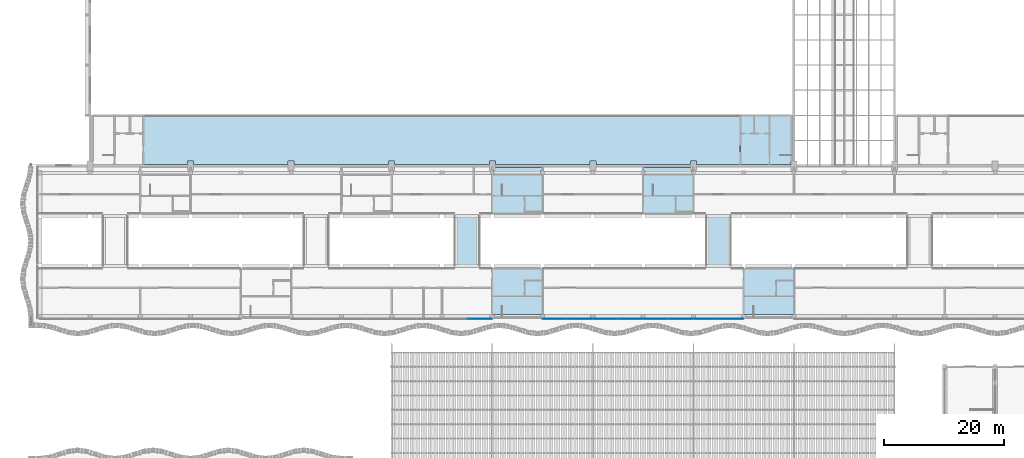
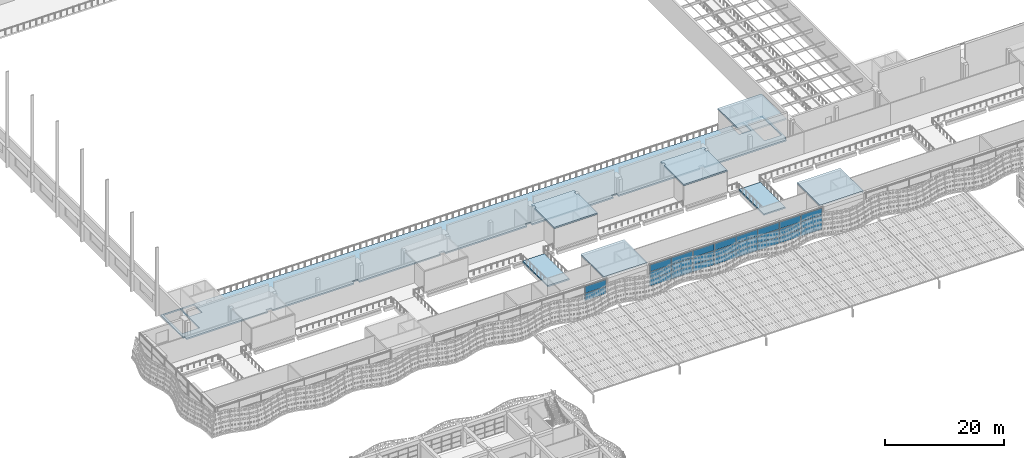
# One storey, part 66 of 162: 26 plates, 8 slabs, 2 elements without a shape of their own.
"""IFC4 building model written with IfcOpenShell, lengths in metres."""

from ifc_helpers import new_model, si_unit, direction, frame, origin, origin_2d, place, context, subcontext, project, spatial, polyline, rectangle, outline, extrude, material, layer, layer_set, type_object, element, aggregate, save


model = new_model("IFC4")

# Units and contexts
model_context = context("Model", 3, precision=1e-05, world=origin(), true_north=direction((0.0, 1.0)))
body_context = subcontext(model_context, "Body", "Model", "MODEL_VIEW")
ifc_project = project(units=[si_unit("LENGTHUNIT", "METRE"), si_unit("AREAUNIT", "SQUARE_METRE"), si_unit("VOLUMEUNIT", "CUBIC_METRE"), si_unit("PLANEANGLEUNIT", "RADIAN"), si_unit("MASSUNIT", "GRAM", prefix="KILO")], contexts=[model_context])

# Site, building, storey
site_placement = place(None, origin())
site = spatial("IfcSite", under=ifc_project, at=site_placement, CompositionType="ELEMENT")
building_placement = place(site_placement, origin())
building = spatial("IfcBuilding", under=site, at=building_placement, Name="Rain Tree Exposition and Congress Centre", CompositionType="ELEMENT")
storey_placement = place(building_placement, frame((0.0, 0.0, 6.0)))
storey = spatial("IfcBuildingStorey", under=building, at=storey_placement, Name="L01", CompositionType="ELEMENT", Elevation=6.0)

# Slabs
ifc_material_1 = material(Name="Precast concrete C50/60", Category="concrete")
ifc_layer_1 = layer(ifc_material_1, 0.300048828125)
ifc_layer_set_1 = layer_set([ifc_layer_1], Name="Precast concrete C50/60")
slab_type_1 = type_object("IfcSlabType", Name="Concourse bridge deck slab 300", PredefinedType="FLOOR", material=ifc_layer_set_1)
slab_1_placement = place(storey_placement, frame((0.0, 0.0, -0.300048828125)))
element("IfcSlab", 1, at=slab_1_placement, inside=storey, type_object=slab_type_1, Name="Concourse bridge deck 3", PredefinedType="FLOOR", context=body_context, shape_type="SweptSolid", body=[
    extrude(outline(polyline([(69.300048828125, 84.0), (73.5, 84.0), (73.5, 92.39990234375), (69.300048828125, 92.39990234375), (69.300048828125, 84.0)])), origin(), (0.0, 0.0, 1.0), 0.300048828125),
])
slab_2_placement = place(storey_placement, frame((0.0, 0.0, -0.300048828125)))
element("IfcSlab", 2, at=slab_2_placement, inside=storey, type_object=slab_type_1, Name="Concourse bridge deck 4", PredefinedType="FLOOR", context=body_context, shape_type="SweptSolid", body=[
    extrude(outline(polyline([(111.300048828125, 84.0), (115.5, 84.0), (115.5, 92.39990234375), (111.300048828125, 92.39990234375), (111.300048828125, 84.0)])), origin(), (0.0, 0.0, 1.0), 0.300048828125),
])
ifc_material_2 = material(Name="Concrete C40/50", Category="concrete")
ifc_layer_2 = layer(ifc_material_2, 0.300048828125)
ifc_layer_set_2 = layer_set([ifc_layer_2], Name="Concrete C40/50")
slab_type_2 = type_object("IfcSlabType", Name="Concourse core roof slab 300", PredefinedType="ROOF", material=ifc_layer_set_2)
slab_3_placement = place(storey_placement, frame((0.0, 0.0, 4.199951171875)))
element("IfcSlab", 3, at=slab_3_placement, inside=storey, type_object=slab_type_2, Name="Concourse core 2 roof", PredefinedType="ROOF", context=body_context, shape_type="SweptSolid", body=[
    extrude(outline(polyline([(84.02490234375, 83.699951171875), (84.02490234375, 75.949951171875), (83.64990234375, 75.949951171875), (75.949951171875, 75.949951171875), (75.574951171875, 75.949951171875), (75.574951171875, 83.699951171875), (84.02490234375, 83.699951171875)])), origin(), (0.0, 0.0, 1.0), 0.300048828125),
])
slab_4_placement = place(storey_placement, frame((0.0, 0.0, 4.199951171875)))
element("IfcSlab", 4, at=slab_4_placement, inside=storey, type_object=slab_type_2, Name="Concourse core 3 roof", PredefinedType="ROOF", context=body_context, shape_type="SweptSolid", body=[
    extrude(outline(polyline([(126.02490234375, 83.699951171875), (126.02490234375, 75.949951171875), (125.64990234375, 75.949951171875), (117.949951171875, 75.949951171875), (117.574951171875, 75.949951171875), (117.574951171875, 83.699951171875), (126.02490234375, 83.699951171875)])), origin(), (0.0, 0.0, 1.0), 0.300048828125),
])
slab_5_placement = place(storey_placement, frame((0.0, 0.0, 4.199951171875)))
element("IfcSlab", 5, at=slab_5_placement, inside=storey, type_object=slab_type_2, Name="Concourse core 9 roof", PredefinedType="ROOF", context=body_context, shape_type="SweptSolid", body=[
    extrude(outline(polyline([(84.02490234375, 92.699951171875), (83.699951171875, 92.699951171875), (75.89990234375, 92.699951171875), (75.574951171875, 92.699951171875), (75.574951171875, 99.300048828125), (75.89990234375, 99.300048828125), (75.89990234375, 99.89990234375), (75.574951171875, 99.89990234375), (75.574951171875, 100.5), (84.02490234375, 100.5), (84.02490234375, 99.89990234375), (83.699951171875, 99.89990234375), (83.699951171875, 99.300048828125), (84.02490234375, 99.300048828125), (84.02490234375, 92.699951171875)])), origin(), (0.0, 0.0, 1.0), 0.300048828125),
])
slab_6_placement = place(storey_placement, frame((0.0, 0.0, 4.199951171875)))
element("IfcSlab", 6, at=slab_6_placement, inside=storey, type_object=slab_type_2, Name="Concourse core 10 roof", PredefinedType="ROOF", context=body_context, shape_type="SweptSolid", body=[
    extrude(outline(polyline([(109.22509765625, 92.699951171875), (108.89990234375, 92.699951171875), (101.10009765625, 92.699951171875), (100.77490234375, 92.699951171875), (100.77490234375, 99.300048828125), (101.10009765625, 99.300048828125), (101.10009765625, 99.89990234375), (100.77490234375, 99.89990234375), (100.77490234375, 100.5), (109.22509765625, 100.5), (109.22509765625, 99.89990234375), (108.89990234375, 99.89990234375), (108.89990234375, 99.300048828125), (109.22509765625, 99.300048828125), (109.22509765625, 92.699951171875)])), origin(), (0.0, 0.0, 1.0), 0.300048828125),
])

# Curtain wall, plates
ifc_material_3 = material(Name="Aluminium curtain wall system", Category="aluminium")
ifc_layer_3 = layer(ifc_material_3, 0.10009765625)
ifc_layer_set_3 = layer_set([ifc_layer_3], Name="Aluminium curtain wall system")
curtain_wall_type = type_object("IfcCurtainWallType", Name="Concourse curtain wall 4200 module", PredefinedType="NOTDEFINED", material=ifc_layer_set_3)
curtain_wall_1_placement = place(storey_placement, origin())
curtain_wall_1 = element("IfcCurtainWall", 7, at=curtain_wall_1_placement, inside=storey, type_object=curtain_wall_type, Name="Concourse curtain wall CWC23", PredefinedType="NOTDEFINED")
ifc_material_4 = material(Name="Laminated low-e glass", Category="glass")
ifc_layer_4 = layer(ifc_material_4, 0.028076171875)
ifc_layer_set_4 = layer_set([ifc_layer_4], Name="Laminated low-e glass")
plate_type = type_object("IfcPlateType", Name="Concourse curtain wall glass panel 28", PredefinedType="CURTAIN_PANEL", material=ifc_layer_set_4)
plate_1_placement = place(storey_placement, frame((73.485107421875, 75.199951171875, 1.530029296875), z_axis=(0.0, 0.0, 1.0), x_axis=(1.0, 0.0, 0.0)))
plate_1 = element("IfcPlate", 8, at=plate_1_placement, type_object=plate_type, Name="CWC23 panel 8.2", PredefinedType="CURTAIN_PANEL", context=body_context, shape_type="SweptSolid", body=[
    extrude(rectangle(XDim=4.110107421875, YDim=0.028076171875, at=origin_2d()), origin(), (0.0, 0.0, 1.0), 1.43994140625),
])
plate_2_placement = place(storey_placement, frame((73.485107421875, 75.199951171875, 3.0302734375), z_axis=(0.0, 0.0, 1.0), x_axis=(1.0, 0.0, 0.0)))
plate_2 = element("IfcPlate", 9, at=plate_2_placement, type_object=plate_type, Name="CWC23 panel 8.3", PredefinedType="CURTAIN_PANEL", context=body_context, shape_type="SweptSolid", body=[
    extrude(rectangle(XDim=4.110107421875, YDim=0.028076171875, at=origin_2d()), origin(), (0.0, 0.0, 1.0), 1.409912109375),
])
aggregate(curtain_wall_1, [plate_1, plate_2])

curtain_wall_2_placement = place(storey_placement, origin())
curtain_wall_2 = element("IfcCurtainWall", 10, at=curtain_wall_2_placement, inside=storey, type_object=curtain_wall_type, Name="Concourse curtain wall CWC24", PredefinedType="NOTDEFINED")
plate_3_placement = place(storey_placement, frame((86.114990234375, 75.199951171875, 0.06005859375), z_axis=(0.0, 0.0, 1.0), x_axis=(1.0, 0.0, 0.0)))
plate_3 = element("IfcPlate", 11, at=plate_3_placement, type_object=plate_type, Name="CWC24 panel 1.1", PredefinedType="CURTAIN_PANEL", context=body_context, shape_type="SweptSolid", body=[
    extrude(rectangle(XDim=4.110107421875, YDim=0.028076171875, at=origin_2d()), origin(), (0.0, 0.0, 1.0), 1.409912109375),
])
plate_4_placement = place(storey_placement, frame((86.114990234375, 75.199951171875, 1.530029296875), z_axis=(0.0, 0.0, 1.0), x_axis=(1.0, 0.0, 0.0)))
plate_4 = element("IfcPlate", 12, at=plate_4_placement, type_object=plate_type, Name="CWC24 panel 1.2", PredefinedType="CURTAIN_PANEL", context=body_context, shape_type="SweptSolid", body=[
    extrude(rectangle(XDim=4.110107421875, YDim=0.028076171875, at=origin_2d()), origin(), (0.0, 0.0, 1.0), 1.43994140625),
])
plate_5_placement = place(storey_placement, frame((86.114990234375, 75.199951171875, 3.0302734375), z_axis=(0.0, 0.0, 1.0), x_axis=(1.0, 0.0, 0.0)))
plate_5 = element("IfcPlate", 13, at=plate_5_placement, type_object=plate_type, Name="CWC24 panel 1.3", PredefinedType="CURTAIN_PANEL", context=body_context, shape_type="SweptSolid", body=[
    extrude(rectangle(XDim=4.110107421875, YDim=0.028076171875, at=origin_2d()), origin(), (0.0, 0.0, 1.0), 1.409912109375),
])
plate_6_placement = place(storey_placement, frame((90.300048828125, 75.199951171875, 0.06005859375), z_axis=(0.0, 0.0, 1.0), x_axis=(1.0, 0.0, 0.0)))
plate_6 = element("IfcPlate", 14, at=plate_6_placement, type_object=plate_type, Name="CWC24 panel 2.1", PredefinedType="CURTAIN_PANEL", context=body_context, shape_type="SweptSolid", body=[
    extrude(rectangle(XDim=4.139892578125, YDim=0.028076171875, at=origin_2d()), origin(), (0.0, 0.0, 1.0), 1.409912109375),
])
plate_7_placement = place(storey_placement, frame((90.300048828125, 75.199951171875, 1.530029296875), z_axis=(0.0, 0.0, 1.0), x_axis=(1.0, 0.0, 0.0)))
plate_7 = element("IfcPlate", 15, at=plate_7_placement, type_object=plate_type, Name="CWC24 panel 2.2", PredefinedType="CURTAIN_PANEL", context=body_context, shape_type="SweptSolid", body=[
    extrude(rectangle(XDim=4.139892578125, YDim=0.028076171875, at=origin_2d()), origin(), (0.0, 0.0, 1.0), 1.43994140625),
])
plate_8_placement = place(storey_placement, frame((90.300048828125, 75.199951171875, 3.0302734375), z_axis=(0.0, 0.0, 1.0), x_axis=(1.0, 0.0, 0.0)))
plate_8 = element("IfcPlate", 16, at=plate_8_placement, type_object=plate_type, Name="CWC24 panel 2.3", PredefinedType="CURTAIN_PANEL", context=body_context, shape_type="SweptSolid", body=[
    extrude(rectangle(XDim=4.139892578125, YDim=0.028076171875, at=origin_2d()), origin(), (0.0, 0.0, 1.0), 1.409912109375),
])
plate_9_placement = place(storey_placement, frame((94.5, 75.199951171875, 0.06005859375), z_axis=(0.0, 0.0, 1.0), x_axis=(1.0, 0.0, 0.0)))
plate_9 = element("IfcPlate", 17, at=plate_9_placement, type_object=plate_type, Name="CWC24 panel 3.1", PredefinedType="CURTAIN_PANEL", context=body_context, shape_type="SweptSolid", body=[
    extrude(rectangle(XDim=4.139892578125, YDim=0.028076171875, at=origin_2d()), origin(), (0.0, 0.0, 1.0), 1.409912109375),
])
plate_10_placement = place(storey_placement, frame((94.5, 75.199951171875, 1.530029296875), z_axis=(0.0, 0.0, 1.0), x_axis=(1.0, 0.0, 0.0)))
plate_10 = element("IfcPlate", 18, at=plate_10_placement, type_object=plate_type, Name="CWC24 panel 3.2", PredefinedType="CURTAIN_PANEL", context=body_context, shape_type="SweptSolid", body=[
    extrude(rectangle(XDim=4.139892578125, YDim=0.028076171875, at=origin_2d()), origin(), (0.0, 0.0, 1.0), 1.43994140625),
])
plate_11_placement = place(storey_placement, frame((94.5, 75.199951171875, 3.0302734375), z_axis=(0.0, 0.0, 1.0), x_axis=(1.0, 0.0, 0.0)))
plate_11 = element("IfcPlate", 19, at=plate_11_placement, type_object=plate_type, Name="CWC24 panel 3.3", PredefinedType="CURTAIN_PANEL", context=body_context, shape_type="SweptSolid", body=[
    extrude(rectangle(XDim=4.139892578125, YDim=0.028076171875, at=origin_2d()), origin(), (0.0, 0.0, 1.0), 1.409912109375),
])
plate_12_placement = place(storey_placement, frame((98.699951171875, 75.199951171875, 0.06005859375), z_axis=(0.0, 0.0, 1.0), x_axis=(1.0, 0.0, 0.0)))
plate_12 = element("IfcPlate", 20, at=plate_12_placement, type_object=plate_type, Name="CWC24 panel 4.1", PredefinedType="CURTAIN_PANEL", context=body_context, shape_type="SweptSolid", body=[
    extrude(rectangle(XDim=4.139892578125, YDim=0.028076171875, at=origin_2d()), origin(), (0.0, 0.0, 1.0), 1.409912109375),
])
plate_13_placement = place(storey_placement, frame((98.699951171875, 75.199951171875, 1.530029296875), z_axis=(0.0, 0.0, 1.0), x_axis=(1.0, 0.0, 0.0)))
plate_13 = element("IfcPlate", 21, at=plate_13_placement, type_object=plate_type, Name="CWC24 panel 4.2", PredefinedType="CURTAIN_PANEL", context=body_context, shape_type="SweptSolid", body=[
    extrude(rectangle(XDim=4.139892578125, YDim=0.028076171875, at=origin_2d()), origin(), (0.0, 0.0, 1.0), 1.43994140625),
])
plate_14_placement = place(storey_placement, frame((98.699951171875, 75.199951171875, 3.0302734375), z_axis=(0.0, 0.0, 1.0), x_axis=(1.0, 0.0, 0.0)))
plate_14 = element("IfcPlate", 22, at=plate_14_placement, type_object=plate_type, Name="CWC24 panel 4.3", PredefinedType="CURTAIN_PANEL", context=body_context, shape_type="SweptSolid", body=[
    extrude(rectangle(XDim=4.139892578125, YDim=0.028076171875, at=origin_2d()), origin(), (0.0, 0.0, 1.0), 1.409912109375),
])
plate_15_placement = place(storey_placement, frame((102.89990234375, 75.199951171875, 0.06005859375), z_axis=(0.0, 0.0, 1.0), x_axis=(1.0, 0.0, 0.0)))
plate_15 = element("IfcPlate", 23, at=plate_15_placement, type_object=plate_type, Name="CWC24 panel 5.1", PredefinedType="CURTAIN_PANEL", context=body_context, shape_type="SweptSolid", body=[
    extrude(rectangle(XDim=4.139892578125, YDim=0.028076171875, at=origin_2d()), origin(), (0.0, 0.0, 1.0), 1.409912109375),
])
plate_16_placement = place(storey_placement, frame((102.89990234375, 75.199951171875, 1.530029296875), z_axis=(0.0, 0.0, 1.0), x_axis=(1.0, 0.0, 0.0)))
plate_16 = element("IfcPlate", 24, at=plate_16_placement, type_object=plate_type, Name="CWC24 panel 5.2", PredefinedType="CURTAIN_PANEL", context=body_context, shape_type="SweptSolid", body=[
    extrude(rectangle(XDim=4.139892578125, YDim=0.028076171875, at=origin_2d()), origin(), (0.0, 0.0, 1.0), 1.43994140625),
])
plate_17_placement = place(storey_placement, frame((102.89990234375, 75.199951171875, 3.0302734375), z_axis=(0.0, 0.0, 1.0), x_axis=(1.0, 0.0, 0.0)))
plate_17 = element("IfcPlate", 25, at=plate_17_placement, type_object=plate_type, Name="CWC24 panel 5.3", PredefinedType="CURTAIN_PANEL", context=body_context, shape_type="SweptSolid", body=[
    extrude(rectangle(XDim=4.139892578125, YDim=0.028076171875, at=origin_2d()), origin(), (0.0, 0.0, 1.0), 1.409912109375),
])
plate_18_placement = place(storey_placement, frame((107.10009765625, 75.199951171875, 0.06005859375), z_axis=(0.0, 0.0, 1.0), x_axis=(1.0, 0.0, 0.0)))
plate_18 = element("IfcPlate", 26, at=plate_18_placement, type_object=plate_type, Name="CWC24 panel 6.1", PredefinedType="CURTAIN_PANEL", context=body_context, shape_type="SweptSolid", body=[
    extrude(rectangle(XDim=4.139892578125, YDim=0.028076171875, at=origin_2d()), origin(), (0.0, 0.0, 1.0), 1.409912109375),
])
plate_19_placement = place(storey_placement, frame((107.10009765625, 75.199951171875, 1.530029296875), z_axis=(0.0, 0.0, 1.0), x_axis=(1.0, 0.0, 0.0)))
plate_19 = element("IfcPlate", 27, at=plate_19_placement, type_object=plate_type, Name="CWC24 panel 6.2", PredefinedType="CURTAIN_PANEL", context=body_context, shape_type="SweptSolid", body=[
    extrude(rectangle(XDim=4.139892578125, YDim=0.028076171875, at=origin_2d()), origin(), (0.0, 0.0, 1.0), 1.43994140625),
])
plate_20_placement = place(storey_placement, frame((107.10009765625, 75.199951171875, 3.0302734375), z_axis=(0.0, 0.0, 1.0), x_axis=(1.0, 0.0, 0.0)))
plate_20 = element("IfcPlate", 28, at=plate_20_placement, type_object=plate_type, Name="CWC24 panel 6.3", PredefinedType="CURTAIN_PANEL", context=body_context, shape_type="SweptSolid", body=[
    extrude(rectangle(XDim=4.139892578125, YDim=0.028076171875, at=origin_2d()), origin(), (0.0, 0.0, 1.0), 1.409912109375),
])
plate_21_placement = place(storey_placement, frame((111.300048828125, 75.199951171875, 0.06005859375), z_axis=(0.0, 0.0, 1.0), x_axis=(1.0, 0.0, 0.0)))
plate_21 = element("IfcPlate", 29, at=plate_21_placement, type_object=plate_type, Name="CWC24 panel 7.1", PredefinedType="CURTAIN_PANEL", context=body_context, shape_type="SweptSolid", body=[
    extrude(rectangle(XDim=4.139892578125, YDim=0.028076171875, at=origin_2d()), origin(), (0.0, 0.0, 1.0), 1.409912109375),
])
plate_22_placement = place(storey_placement, frame((111.300048828125, 75.199951171875, 1.530029296875), z_axis=(0.0, 0.0, 1.0), x_axis=(1.0, 0.0, 0.0)))
plate_22 = element("IfcPlate", 30, at=plate_22_placement, type_object=plate_type, Name="CWC24 panel 7.2", PredefinedType="CURTAIN_PANEL", context=body_context, shape_type="SweptSolid", body=[
    extrude(rectangle(XDim=4.139892578125, YDim=0.028076171875, at=origin_2d()), origin(), (0.0, 0.0, 1.0), 1.43994140625),
])
plate_23_placement = place(storey_placement, frame((111.300048828125, 75.199951171875, 3.0302734375), z_axis=(0.0, 0.0, 1.0), x_axis=(1.0, 0.0, 0.0)))
plate_23 = element("IfcPlate", 31, at=plate_23_placement, type_object=plate_type, Name="CWC24 panel 7.3", PredefinedType="CURTAIN_PANEL", context=body_context, shape_type="SweptSolid", body=[
    extrude(rectangle(XDim=4.139892578125, YDim=0.028076171875, at=origin_2d()), origin(), (0.0, 0.0, 1.0), 1.409912109375),
])
plate_24_placement = place(storey_placement, frame((115.485107421875, 75.199951171875, 0.06005859375), z_axis=(0.0, 0.0, 1.0), x_axis=(1.0, 0.0, 0.0)))
plate_24 = element("IfcPlate", 32, at=plate_24_placement, type_object=plate_type, Name="CWC24 panel 8.1", PredefinedType="CURTAIN_PANEL", context=body_context, shape_type="SweptSolid", body=[
    extrude(rectangle(XDim=4.110107421875, YDim=0.028076171875, at=origin_2d()), origin(), (0.0, 0.0, 1.0), 1.409912109375),
])
plate_25_placement = place(storey_placement, frame((115.485107421875, 75.199951171875, 1.530029296875), z_axis=(0.0, 0.0, 1.0), x_axis=(1.0, 0.0, 0.0)))
plate_25 = element("IfcPlate", 33, at=plate_25_placement, type_object=plate_type, Name="CWC24 panel 8.2", PredefinedType="CURTAIN_PANEL", context=body_context, shape_type="SweptSolid", body=[
    extrude(rectangle(XDim=4.110107421875, YDim=0.028076171875, at=origin_2d()), origin(), (0.0, 0.0, 1.0), 1.43994140625),
])
plate_26_placement = place(storey_placement, frame((115.485107421875, 75.199951171875, 3.0302734375), z_axis=(0.0, 0.0, 1.0), x_axis=(1.0, 0.0, 0.0)))
plate_26 = element("IfcPlate", 34, at=plate_26_placement, type_object=plate_type, Name="CWC24 panel 8.3", PredefinedType="CURTAIN_PANEL", context=body_context, shape_type="SweptSolid", body=[
    extrude(rectangle(XDim=4.110107421875, YDim=0.028076171875, at=origin_2d()), origin(), (0.0, 0.0, 1.0), 1.409912109375),
])
aggregate(curtain_wall_2, [plate_3, plate_4, plate_5, plate_6, plate_7, plate_8, plate_9, plate_10, plate_11, plate_12, plate_13, plate_14, plate_15, plate_16, plate_17, plate_18, plate_19, plate_20, plate_21, plate_22, plate_23, plate_24, plate_25, plate_26])

# Slabs
ifc_material_5 = material(Name="Concrete C40/50", Category="concrete")
ifc_layer_5 = layer(ifc_material_5, 0.300048828125)
ifc_layer_set_5 = layer_set([ifc_layer_5], Name="Concrete C40/50")
slab_type_3 = type_object("IfcSlabType", Name="Core roof slab 300", PredefinedType="ROOF", material=ifc_layer_set_5)
slab_7_placement = place(storey_placement, frame((0.0, 0.0, 4.10009765625)))
element("IfcSlab", 35, at=slab_7_placement, inside=storey, type_object=slab_type_3, Name="Core roof 2", PredefinedType="ROOF", context=body_context, shape_type="SweptSolid", body=[
    extrude(outline(polyline([(125.5, 101.0), (125.5, 109.324951171875), (116.97509765625, 109.324951171875), (116.97509765625, 101.0), (125.5, 101.0)])), origin(), (0.0, 0.0, 1.0), 0.2998046875),
])
ifc_material_6 = material(Name="Precast concrete C50/60", Category="concrete")
ifc_layer_6 = layer(ifc_material_6, 0.300048828125)
ifc_layer_set_6 = layer_set([ifc_layer_6], Name="Precast concrete C50/60")
slab_type_4 = type_object("IfcSlabType", Name="Hall gallery floor 300", PredefinedType="FLOOR", material=ifc_layer_set_6)
slab_8_placement = place(storey_placement, frame((0.0, 0.0, -0.300048828125)))
element("IfcSlab", 36, at=slab_8_placement, inside=storey, type_object=slab_type_4, Name="Gallery floor S", PredefinedType="FLOOR", context=body_context, shape_type="SweptSolid", body=[
    extrude(outline(polyline([(8.60009765625, 109.199951171875), (125.800048828125, 109.199951171875), (125.800048828125, 101.60009765625), (125.5, 101.60009765625), (125.5, 101.0), (109.699951171875, 101.0), (109.699951171875, 101.60009765625), (108.699951171875, 101.60009765625), (108.699951171875, 101.0), (92.89990234375, 101.0), (92.89990234375, 101.60009765625), (91.89990234375, 101.60009765625), (91.89990234375, 101.0), (76.10009765625, 101.0), (76.10009765625, 101.60009765625), (75.10009765625, 101.60009765625), (75.10009765625, 101.0), (59.300048828125, 101.0), (59.300048828125, 101.60009765625), (58.300048828125, 101.60009765625), (58.300048828125, 101.0), (42.5, 101.0), (42.5, 101.60009765625), (41.5, 101.60009765625), (41.5, 101.0), (25.699951171875, 101.0), (25.699951171875, 101.60009765625), (24.699951171875, 101.60009765625), (24.699951171875, 101.0), (8.89990234375, 101.0), (8.89990234375, 101.60009765625), (8.60009765625, 101.60009765625), (8.60009765625, 109.199951171875)]), holes=[polyline([(12.3720703125, 102.60302734375), (12.3720703125, 109.072021484375), (9.028076171875, 109.072021484375), (9.028076171875, 102.60302734375), (12.3720703125, 102.60302734375)]), polyline([(14.97509765625, 106.324951171875), (14.97509765625, 109.074951171875), (12.625, 109.074951171875), (12.625, 106.324951171875), (14.97509765625, 106.324951171875)]), polyline([(125.4970703125, 102.60302734375), (125.4970703125, 109.072021484375), (122.153076171875, 109.072021484375), (122.153076171875, 102.60302734375), (125.4970703125, 102.60302734375)]), polyline([(121.77490234375, 106.324951171875), (121.77490234375, 109.074951171875), (119.425048828125, 109.074951171875), (119.425048828125, 106.324951171875), (121.77490234375, 106.324951171875)])]), origin(), (0.0, 0.0, 1.0), 0.300048828125),
])

save(model, "model.ifc")
